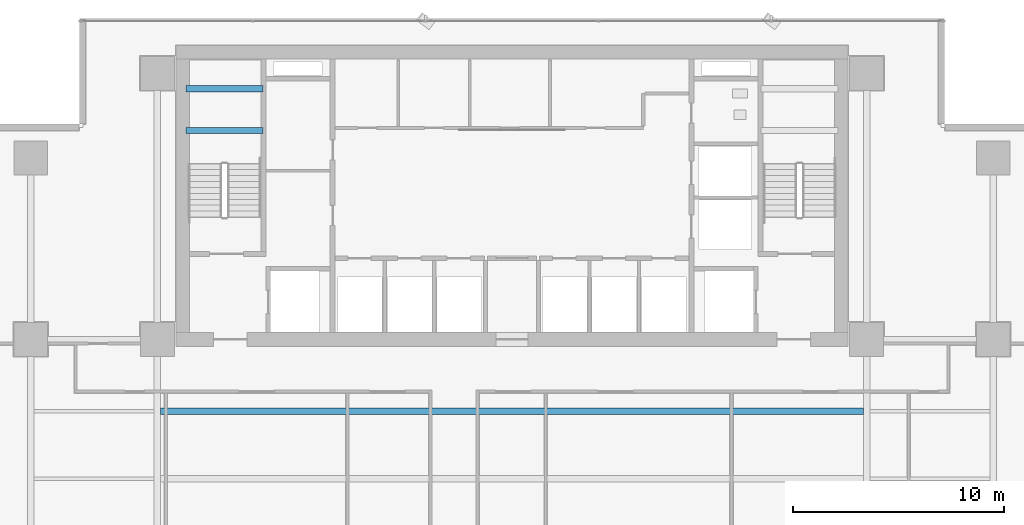
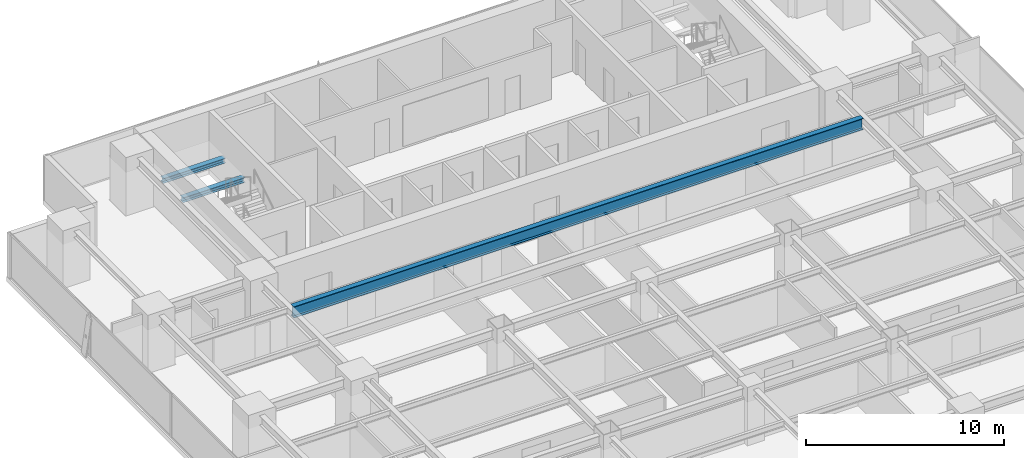
# One storey, part 19 of 36: 3 beams.
"""IFC4 building model written with IfcOpenShell, lengths in metres."""

from ifc_helpers import new_model, si_unit, direction, frame, origin, origin_2d, place, context, subcontext, project, spatial, i_section, extrude, source, transform, mapped, material, material_profile, profile_set, type_object, element, save


model = new_model("IFC4")

# Units and contexts
model_context = context("Model", 3, precision=1e-05, world=origin(), true_north=direction((0.0, 1.0)))
body_context = subcontext(model_context, "Body", "Model", "MODEL_VIEW")
ifc_project = project(units=[si_unit("LENGTHUNIT", "METRE"), si_unit("AREAUNIT", "SQUARE_METRE"), si_unit("VOLUMEUNIT", "CUBIC_METRE"), si_unit("PLANEANGLEUNIT", "RADIAN"), si_unit("MASSUNIT", "GRAM", prefix="KILO")], contexts=[model_context])

# Site, building, storey
site_placement = place(None, origin())
site = spatial("IfcSite", under=ifc_project, at=site_placement, CompositionType="ELEMENT")
building_placement = place(site_placement, origin())
building = spatial("IfcBuilding", under=site, at=building_placement, Name="Sumidabori Civic Tower", CompositionType="ELEMENT")
storey_placement = place(building_placement, frame((0.0, 0.0, 77.60009765625)))
storey = spatial("IfcBuildingStorey", under=building, at=storey_placement, Name="L19", CompositionType="ELEMENT", Elevation=77.60009765625)

# Beams
ifc_material = material(Name="Steel SN490", Category="steel")
ifc_material_profile_1 = material_profile(ifc_material, i_section(OverallWidth=0.300048828125, OverallDepth=0.300048828125, WebThickness=0.010986328125, FlangeThickness=0.01904296875, at=origin_2d()), Name="HE 300 B")
ifc_profile_set_1 = profile_set([ifc_material_profile_1], Name="Steel SN490")
beam_type_1 = type_object("IfcBeamType", Name="BM-LDG-300", PredefinedType="BEAM", material=ifc_profile_set_1)
shared_shape_1 = source(origin(), body_context, "Body", "SweptSolid", [
    extrude(i_section(OverallWidth=0.300048828125, OverallDepth=0.300048828125, WebThickness=0.010986328125, FlangeThickness=0.01904296875, at=origin_2d()), origin(), (0.0, 0.0, 1.0), 3.64990234375),
])
for number, where, z_axis, x_axis, name in (
    (1, (-15.449951171875, 20.09765625, 1.449951171875), (1.0, 0.0, 0.0), (0.0, 1.0, 0.0), "Stair ST-1 Landing Support Beam L19-1A"),
    (2, (-15.449951171875, 22.069580078125, 1.449951171875), (1.0, 0.0, 0.0), (0.0, 1.0, 0.0), "Stair ST-1 Landing Trimmer Beam L19-1B"),
):
    element("IfcBeam", number, at=place(storey_placement, frame(where, z_axis=z_axis, x_axis=x_axis)), inside=storey, type_object=beam_type_1, Name=name, PredefinedType="BEAM", context=body_context, shape_type="MappedRepresentation", body=[
        mapped(shared_shape_1, transform((0.0, 0.0, 0.0), x_axis=(1.0, 0.0, 0.0), y_axis=(0.0, 1.0, 0.0), z_axis=(0.0, 0.0, 1.0), scale=1.0)),
    ])
ifc_material_profile_2 = material_profile(ifc_material, i_section(OverallWidth=0.300048828125, OverallDepth=0.699951171875, WebThickness=0.01708984375, FlangeThickness=0.031982421875, at=origin_2d()), Name="HE 700 B")
ifc_profile_set_2 = profile_set([ifc_material_profile_2], Name="Steel SN490")
beam_type_2 = type_object("IfcBeamType", Name="BM-GIRD-700", PredefinedType="BEAM", material=ifc_profile_set_2)
shared_shape_2 = source(origin(), body_context, "Body", "SweptSolid", [
    extrude(i_section(OverallWidth=0.300048828125, OverallDepth=0.699951171875, WebThickness=0.01708984375, FlangeThickness=0.031982421875, at=origin_2d()), origin(), (0.0, 0.0, 1.0), 33.2998046875),
])
beam_placement = place(storey_placement, frame((-16.64990234375, 6.800048828125, 3.010009765625), z_axis=(1.0, 0.0, 0.0), x_axis=(0.0, 1.0, 0.0)))
element("IfcBeam", 3, at=beam_placement, inside=storey, type_object=beam_type_2, Name="North Bay Floor Beam L19 JSTN-54", PredefinedType="BEAM", context=body_context, shape_type="MappedRepresentation", body=[
    mapped(shared_shape_2, transform((0.0, 0.0, 0.0), x_axis=(1.0, 0.0, 0.0), y_axis=(0.0, 1.0, 0.0), z_axis=(0.0, 0.0, 1.0), scale=1.0)),
])

save(model, "model.ifc")
